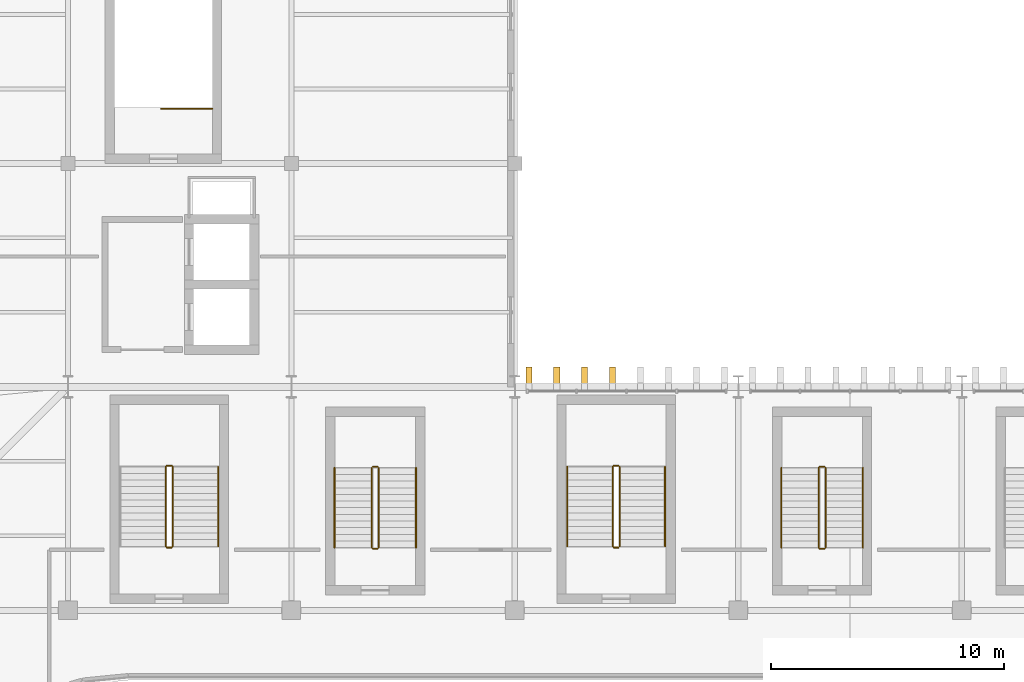
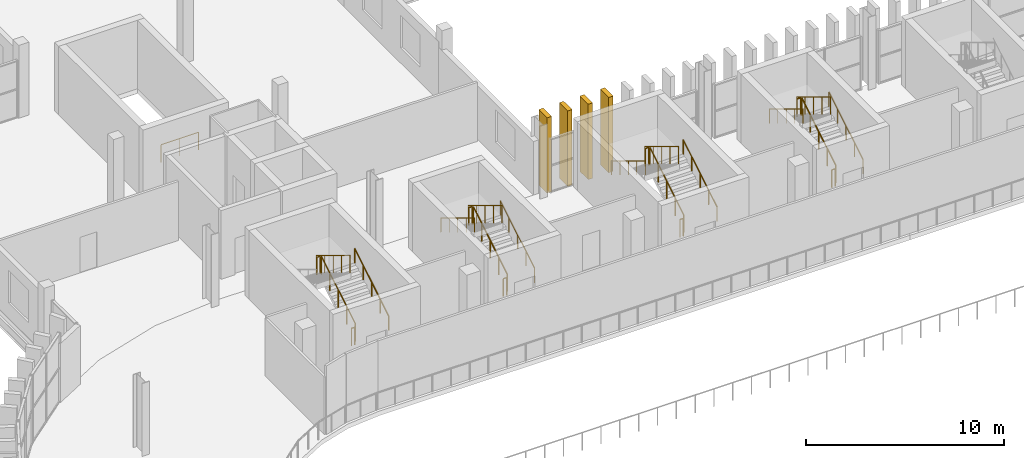
# One storey, part 68 of 75: 24 railings, 4 coverings.
"""IFC4 building model written with IfcOpenShell, lengths in metres."""

from ifc_helpers import new_model, si_unit, direction, frame, origin, origin_2d, place, context, subcontext, project, spatial, rectangle, circle, extrude, material, material_profile, profile_set, type_object, element, save


model = new_model("IFC4")

# Units and contexts
model_context = context("Model", 3, precision=1e-05, world=origin(), true_north=direction((0.0, 1.0)))
body_context = subcontext(model_context, "Body", "Model", "MODEL_VIEW")
ifc_project = project(units=[si_unit("LENGTHUNIT", "METRE"), si_unit("AREAUNIT", "SQUARE_METRE"), si_unit("VOLUMEUNIT", "CUBIC_METRE"), si_unit("PLANEANGLEUNIT", "RADIAN"), si_unit("MASSUNIT", "GRAM", prefix="KILO")], contexts=[model_context])

# Site, building, storey
site_placement = place(None, origin())
site = spatial("IfcSite", under=ifc_project, at=site_placement, CompositionType="ELEMENT")
building_placement = place(site_placement, origin())
building = spatial("IfcBuilding", under=site, at=building_placement, Name="Caelomonte Colonnade Arena", CompositionType="ELEMENT")
storey_placement = place(building_placement, frame((0.0, 0.0, 14.10009765625)))
storey = spatial("IfcBuildingStorey", under=building, at=storey_placement, Name="L03", CompositionType="ELEMENT", Elevation=14.10009765625)

# Coverings
ifc_material_1 = material(Name="Precast travertine cladding", Category="masonry")
ifc_material_profile = material_profile(ifc_material_1, rectangle(XDim=0.260009765625, YDim=0.85009765625, at=origin_2d()), Name="FIN260X850")
ifc_profile_set = profile_set([ifc_material_profile], Name="Precast travertine cladding")
covering_type = type_object("IfcCoveringType", Name="ENV-FN-SHAFT", PredefinedType="CLADDING", material=ifc_profile_set)
for number, where, z_axis, x_axis, name in (
    (1, (100.199951171875, 115.62109375, -0.16015625), (0.0, 0.0, 1.0), (1.0, 0.0, 0.0), "V1 L03 classical travertine vertical fin 128"),
    (2, (99.0, 115.62109375, -0.16015625), (0.0, 0.0, 1.0), (1.0, 0.0, 0.0), "V1 L03 classical travertine vertical fin 129"),
    (3, (97.800048828125, 115.62109375, -0.16015625), (0.0, 0.0, 1.0), (1.0, 0.0, 0.0), "V1 L03 classical travertine vertical fin 130"),
    (4, (96.60009765625, 115.62109375, -0.16015625), (0.0, 0.0, 1.0), (1.0, 0.0, 0.0), "V1 L03 classical travertine vertical fin 131"),
):
    element("IfcCovering", number, at=place(storey_placement, frame(where, z_axis=z_axis, x_axis=x_axis)), inside=storey, type_object=covering_type, Name=name, PredefinedType="CLADDING", context=body_context, shape_type="SweptSolid", body=[
        extrude(rectangle(XDim=0.260009765625, YDim=0.85009765625, at=origin_2d()), origin(), (0.0, 0.0, 1.0), 4.66015625),
    ])

# Railings
ifc_material_2 = material(Name="Painted galvanized steel stair guard", Category="steel")
railing_type_1 = type_object("IfcRailingType", Name="INT-RL-GRD", PredefinedType="GUARDRAIL", material=ifc_material_2)
railing_1_placement = place(storey_placement, frame((83.0, 127.14990234375, 0.0)))
element("IfcRailing", 5, at=railing_1_placement, inside=storey, type_object=railing_type_1, Name="L03 ST-07 top well guard 1", PredefinedType="GUARDRAIL", context=body_context, shape_type="SweptSolid", body=[
    extrude(circle(Radius=0.02392578125, at=origin_2d()), frame((0.0, 0.0, 1.076171875), z_axis=(-1.0, 0.0, 0.0), x_axis=(0.0, -1.0, 0.0)), (0.0, 0.0, 1.0), 2.199951171875),
    extrude(circle(Radius=0.02099609375, at=origin_2d()), origin(), (0.0, 0.0, 1.0), 1.048095703125),
    extrude(circle(Radius=0.02099609375, at=origin_2d()), frame((-1.10009765625, 0.0, 0.0)), (0.0, 0.0, 1.0), 1.048095703125),
    extrude(circle(Radius=0.02099609375, at=origin_2d()), frame((-2.199951171875, 0.0, 0.0)), (0.0, 0.0, 1.0), 1.048095703125),
])
railing_2_placement = place(storey_placement, frame((81.300048828125, 108.35009765625, 0.173095703125)))
element("IfcRailing", 6, at=railing_2_placement, inside=storey, type_object=railing_type_1, Name="L03 ST-14 stair guard 1", PredefinedType="GUARDRAIL", context=body_context, shape_type="SweptSolid", body=[
    extrude(circle(Radius=0.02392578125, at=origin_2d()), frame((0.0, 0.0, 1.076171875), z_axis=(0.0, 0.854729506542, 0.519073665916), x_axis=(-1.0, 0.0, 0.0)), (0.0, 0.0, 1.0), 4.001220703125),
    extrude(circle(Radius=0.02099609375, at=origin_2d()), origin(), (0.0, 0.0, 1.0), 1.048095703125),
    extrude(circle(Radius=0.02099609375, at=origin_2d()), frame((0.0, 0.85498046875, 0.519287109375)), (0.0, 0.0, 1.0), 1.048095703125),
    extrude(circle(Radius=0.02099609375, at=origin_2d()), frame((0.0, 1.7099609375, 1.03857421875)), (0.0, 0.0, 1.0), 1.048095703125),
    extrude(circle(Radius=0.02099609375, at=origin_2d()), frame((0.0, 2.56494140625, 1.5576171875)), (0.0, 0.0, 1.0), 1.048095703125),
    extrude(circle(Radius=0.02099609375, at=origin_2d()), frame((0.0, 3.419921875, 2.076904296875)), (0.0, 0.0, 1.0), 1.048095703125),
])
railing_3_placement = place(storey_placement, frame((81.25, 111.820068359375, 2.25)))
element("IfcRailing", 7, at=railing_3_placement, inside=storey, type_object=railing_type_1, Name="L03 ST-14 stair guard 2", PredefinedType="GUARDRAIL", context=body_context, shape_type="SweptSolid", body=[
    extrude(circle(Radius=0.02392578125, at=origin_2d()), frame((0.0, 0.0, 1.076171875), z_axis=(-1.0, 0.0, 0.0), x_axis=(0.0, -1.0, 0.0)), (0.0, 0.0, 1.0), 0.199951171875),
    extrude(circle(Radius=0.02099609375, at=origin_2d()), origin(), (0.0, 0.0, 1.0), 1.048095703125),
    extrude(circle(Radius=0.02099609375, at=origin_2d()), frame((-0.199951171875, 0.0, 0.0)), (0.0, 0.0, 1.0), 1.048095703125),
])
railing_4_placement = place(storey_placement, frame((81.0, 111.77001953125, 2.423095703125)))
element("IfcRailing", 8, at=railing_4_placement, inside=storey, type_object=railing_type_1, Name="L03 ST-14 stair guard 3", PredefinedType="GUARDRAIL", context=body_context, shape_type="SweptSolid", body=[
    extrude(circle(Radius=0.02392578125, at=origin_2d()), frame((0.0, 0.0, 1.076171875), z_axis=(0.0, -0.854729506542, 0.519073665916), x_axis=(1.0, 0.0, 0.0)), (0.0, 0.0, 1.0), 4.001220703125),
    extrude(circle(Radius=0.02099609375, at=origin_2d()), origin(), (0.0, 0.0, 1.0), 1.048095703125),
    extrude(circle(Radius=0.02099609375, at=origin_2d()), frame((0.0, -0.85498046875, 0.519287109375)), (0.0, 0.0, 1.0), 1.048095703125),
    extrude(circle(Radius=0.02099609375, at=origin_2d()), frame((0.0, -1.7099609375, 1.03857421875)), (0.0, 0.0, 1.0), 1.048095703125),
    extrude(circle(Radius=0.02099609375, at=origin_2d()), frame((0.0, -2.56494140625, 1.5576171875)), (0.0, 0.0, 1.0), 1.048095703125),
    extrude(circle(Radius=0.02099609375, at=origin_2d()), frame((0.0, -3.419921875, 2.076904296875)), (0.0, 0.0, 1.0), 1.048095703125),
])
railing_5_placement = place(storey_placement, frame((81.25, 108.300048828125, 0.0)))
element("IfcRailing", 9, at=railing_5_placement, inside=storey, type_object=railing_type_1, Name="L03 ST-14 stair guard 4", PredefinedType="GUARDRAIL", context=body_context, shape_type="SweptSolid", body=[
    extrude(circle(Radius=0.02392578125, at=origin_2d()), frame((0.0, 0.0, 1.076171875), z_axis=(-1.0, 0.0, 0.0), x_axis=(0.0, -1.0, 0.0)), (0.0, 0.0, 1.0), 0.199951171875),
    extrude(circle(Radius=0.02099609375, at=origin_2d()), origin(), (0.0, 0.0, 1.0), 1.048095703125),
    extrude(circle(Radius=0.02099609375, at=origin_2d()), frame((-0.199951171875, 0.0, 0.0)), (0.0, 0.0, 1.0), 1.048095703125),
])
railing_6_placement = place(storey_placement, frame((100.5, 108.35009765625, 0.173095703125)))
element("IfcRailing", 10, at=railing_6_placement, inside=storey, type_object=railing_type_1, Name="L03 ST-15 stair guard 1", PredefinedType="GUARDRAIL", context=body_context, shape_type="SweptSolid", body=[
    extrude(circle(Radius=0.02392578125, at=origin_2d()), frame((0.0, 0.0, 1.076171875), z_axis=(0.0, 0.854729506542, 0.519073665916), x_axis=(-1.0, 0.0, 0.0)), (0.0, 0.0, 1.0), 4.001220703125),
    extrude(circle(Radius=0.02099609375, at=origin_2d()), origin(), (0.0, 0.0, 1.0), 1.048095703125),
    extrude(circle(Radius=0.02099609375, at=origin_2d()), frame((0.0, 0.85498046875, 0.519287109375)), (0.0, 0.0, 1.0), 1.048095703125),
    extrude(circle(Radius=0.02099609375, at=origin_2d()), frame((0.0, 1.7099609375, 1.03857421875)), (0.0, 0.0, 1.0), 1.048095703125),
    extrude(circle(Radius=0.02099609375, at=origin_2d()), frame((0.0, 2.56494140625, 1.5576171875)), (0.0, 0.0, 1.0), 1.048095703125),
    extrude(circle(Radius=0.02099609375, at=origin_2d()), frame((0.0, 3.419921875, 2.076904296875)), (0.0, 0.0, 1.0), 1.048095703125),
])
railing_7_placement = place(storey_placement, frame((100.449951171875, 111.820068359375, 2.25)))
element("IfcRailing", 11, at=railing_7_placement, inside=storey, type_object=railing_type_1, Name="L03 ST-15 stair guard 2", PredefinedType="GUARDRAIL", context=body_context, shape_type="SweptSolid", body=[
    extrude(circle(Radius=0.02392578125, at=origin_2d()), frame((0.0, 0.0, 1.076171875), z_axis=(-1.0, 0.0, 0.0), x_axis=(0.0, -1.0, 0.0)), (0.0, 0.0, 1.0), 0.199951171875),
    extrude(circle(Radius=0.02099609375, at=origin_2d()), origin(), (0.0, 0.0, 1.0), 1.048095703125),
    extrude(circle(Radius=0.02099609375, at=origin_2d()), frame((-0.199951171875, 0.0, 0.0)), (0.0, 0.0, 1.0), 1.048095703125),
])
railing_8_placement = place(storey_placement, frame((100.199951171875, 111.77001953125, 2.423095703125)))
element("IfcRailing", 12, at=railing_8_placement, inside=storey, type_object=railing_type_1, Name="L03 ST-15 stair guard 3", PredefinedType="GUARDRAIL", context=body_context, shape_type="SweptSolid", body=[
    extrude(circle(Radius=0.02392578125, at=origin_2d()), frame((0.0, 0.0, 1.076171875), z_axis=(0.0, -0.854729506542, 0.519073665916), x_axis=(1.0, 0.0, 0.0)), (0.0, 0.0, 1.0), 4.001220703125),
    extrude(circle(Radius=0.02099609375, at=origin_2d()), origin(), (0.0, 0.0, 1.0), 1.048095703125),
    extrude(circle(Radius=0.02099609375, at=origin_2d()), frame((0.0, -0.85498046875, 0.519287109375)), (0.0, 0.0, 1.0), 1.048095703125),
    extrude(circle(Radius=0.02099609375, at=origin_2d()), frame((0.0, -1.7099609375, 1.03857421875)), (0.0, 0.0, 1.0), 1.048095703125),
    extrude(circle(Radius=0.02099609375, at=origin_2d()), frame((0.0, -2.56494140625, 1.5576171875)), (0.0, 0.0, 1.0), 1.048095703125),
    extrude(circle(Radius=0.02099609375, at=origin_2d()), frame((0.0, -3.419921875, 2.076904296875)), (0.0, 0.0, 1.0), 1.048095703125),
])
railing_9_placement = place(storey_placement, frame((100.449951171875, 108.300048828125, 0.0)))
element("IfcRailing", 13, at=railing_9_placement, inside=storey, type_object=railing_type_1, Name="L03 ST-15 stair guard 4", PredefinedType="GUARDRAIL", context=body_context, shape_type="SweptSolid", body=[
    extrude(circle(Radius=0.02392578125, at=origin_2d()), frame((0.0, 0.0, 1.076171875), z_axis=(-1.0, 0.0, 0.0), x_axis=(0.0, -1.0, 0.0)), (0.0, 0.0, 1.0), 0.199951171875),
    extrude(circle(Radius=0.02099609375, at=origin_2d()), origin(), (0.0, 0.0, 1.0), 1.048095703125),
    extrude(circle(Radius=0.02099609375, at=origin_2d()), frame((-0.199951171875, 0.0, 0.0)), (0.0, 0.0, 1.0), 1.048095703125),
])
railing_10_placement = place(storey_placement, frame((90.14990234375, 108.300048828125, 0.173095703125)))
element("IfcRailing", 14, at=railing_10_placement, inside=storey, type_object=railing_type_1, Name="L03 ST-V13 stair guard 1", PredefinedType="GUARDRAIL", context=body_context, shape_type="SweptSolid", body=[
    extrude(circle(Radius=0.02392578125, at=origin_2d()), frame((0.0, 0.0, 1.076171875), z_axis=(0.0, 0.854729506542, 0.519073665916), x_axis=(-1.0, 0.0, 0.0)), (0.0, 0.0, 1.0), 4.001220703125),
    extrude(circle(Radius=0.02099609375, at=origin_2d()), origin(), (0.0, 0.0, 1.0), 1.048095703125),
    extrude(circle(Radius=0.02099609375, at=origin_2d()), frame((0.0, 0.85498046875, 0.519287109375)), (0.0, 0.0, 1.0), 1.048095703125),
    extrude(circle(Radius=0.02099609375, at=origin_2d()), frame((0.0, 1.7099609375, 1.03857421875)), (0.0, 0.0, 1.0), 1.048095703125),
    extrude(circle(Radius=0.02099609375, at=origin_2d()), frame((0.0, 2.56494140625, 1.5576171875)), (0.0, 0.0, 1.0), 1.048095703125),
    extrude(circle(Radius=0.02099609375, at=origin_2d()), frame((0.0, 3.419921875, 2.076904296875)), (0.0, 0.0, 1.0), 1.048095703125),
])
railing_11_placement = place(storey_placement, frame((90.10009765625, 111.77001953125, 2.25)))
element("IfcRailing", 15, at=railing_11_placement, inside=storey, type_object=railing_type_1, Name="L03 ST-V13 stair guard 2", PredefinedType="GUARDRAIL", context=body_context, shape_type="SweptSolid", body=[
    extrude(circle(Radius=0.02392578125, at=origin_2d()), frame((0.0, 0.0, 1.076171875), z_axis=(-1.0, 0.0, 0.0), x_axis=(0.0, -1.0, 0.0)), (0.0, 0.0, 1.0), 0.2001953125),
    extrude(circle(Radius=0.02099609375, at=origin_2d()), origin(), (0.0, 0.0, 1.0), 1.048095703125),
    extrude(circle(Radius=0.02099609375, at=origin_2d()), frame((-0.2001953125, 0.0, 0.0)), (0.0, 0.0, 1.0), 1.048095703125),
])
railing_12_placement = place(storey_placement, frame((89.85009765625, 111.719970703125, 2.423095703125)))
element("IfcRailing", 16, at=railing_12_placement, inside=storey, type_object=railing_type_1, Name="L03 ST-V13 stair guard 3", PredefinedType="GUARDRAIL", context=body_context, shape_type="SweptSolid", body=[
    extrude(circle(Radius=0.02392578125, at=origin_2d()), frame((0.0, 0.0, 1.076171875), z_axis=(0.0, -0.854729506542, 0.519073665916), x_axis=(1.0, 0.0, 0.0)), (0.0, 0.0, 1.0), 4.001220703125),
    extrude(circle(Radius=0.02099609375, at=origin_2d()), origin(), (0.0, 0.0, 1.0), 1.048095703125),
    extrude(circle(Radius=0.02099609375, at=origin_2d()), frame((0.0, -0.85498046875, 0.519287109375)), (0.0, 0.0, 1.0), 1.048095703125),
    extrude(circle(Radius=0.02099609375, at=origin_2d()), frame((0.0, -1.7099609375, 1.03857421875)), (0.0, 0.0, 1.0), 1.048095703125),
    extrude(circle(Radius=0.02099609375, at=origin_2d()), frame((0.0, -2.56494140625, 1.5576171875)), (0.0, 0.0, 1.0), 1.048095703125),
    extrude(circle(Radius=0.02099609375, at=origin_2d()), frame((0.0, -3.419921875, 2.076904296875)), (0.0, 0.0, 1.0), 1.048095703125),
])
railing_13_placement = place(storey_placement, frame((90.10009765625, 108.25, 0.0)))
element("IfcRailing", 17, at=railing_13_placement, inside=storey, type_object=railing_type_1, Name="L03 ST-V13 stair guard 4", PredefinedType="GUARDRAIL", context=body_context, shape_type="SweptSolid", body=[
    extrude(circle(Radius=0.02392578125, at=origin_2d()), frame((0.0, 0.0, 1.076171875), z_axis=(-1.0, 0.0, 0.0), x_axis=(0.0, -1.0, 0.0)), (0.0, 0.0, 1.0), 0.2001953125),
    extrude(circle(Radius=0.02099609375, at=origin_2d()), origin(), (0.0, 0.0, 1.0), 1.048095703125),
    extrude(circle(Radius=0.02099609375, at=origin_2d()), frame((-0.2001953125, 0.0, 0.0)), (0.0, 0.0, 1.0), 1.048095703125),
])
railing_14_placement = place(storey_placement, frame((109.35009765625, 108.300048828125, 0.173095703125)))
element("IfcRailing", 18, at=railing_14_placement, inside=storey, type_object=railing_type_1, Name="L03 ST-V14 stair guard 1", PredefinedType="GUARDRAIL", context=body_context, shape_type="SweptSolid", body=[
    extrude(circle(Radius=0.02392578125, at=origin_2d()), frame((0.0, 0.0, 1.076171875), z_axis=(0.0, 0.854729506542, 0.519073665916), x_axis=(-1.0, 0.0, 0.0)), (0.0, 0.0, 1.0), 4.001220703125),
    extrude(circle(Radius=0.02099609375, at=origin_2d()), origin(), (0.0, 0.0, 1.0), 1.048095703125),
    extrude(circle(Radius=0.02099609375, at=origin_2d()), frame((0.0, 0.85498046875, 0.519287109375)), (0.0, 0.0, 1.0), 1.048095703125),
    extrude(circle(Radius=0.02099609375, at=origin_2d()), frame((0.0, 1.7099609375, 1.03857421875)), (0.0, 0.0, 1.0), 1.048095703125),
    extrude(circle(Radius=0.02099609375, at=origin_2d()), frame((0.0, 2.56494140625, 1.5576171875)), (0.0, 0.0, 1.0), 1.048095703125),
    extrude(circle(Radius=0.02099609375, at=origin_2d()), frame((0.0, 3.419921875, 2.076904296875)), (0.0, 0.0, 1.0), 1.048095703125),
])
railing_15_placement = place(storey_placement, frame((109.300048828125, 111.77001953125, 2.25)))
element("IfcRailing", 19, at=railing_15_placement, inside=storey, type_object=railing_type_1, Name="L03 ST-V14 stair guard 2", PredefinedType="GUARDRAIL", context=body_context, shape_type="SweptSolid", body=[
    extrude(circle(Radius=0.02392578125, at=origin_2d()), frame((0.0, 0.0, 1.076171875), z_axis=(-1.0, 0.0, 0.0), x_axis=(0.0, -1.0, 0.0)), (0.0, 0.0, 1.0), 0.199951171875),
    extrude(circle(Radius=0.02099609375, at=origin_2d()), origin(), (0.0, 0.0, 1.0), 1.048095703125),
    extrude(circle(Radius=0.02099609375, at=origin_2d()), frame((-0.199951171875, 0.0, 0.0)), (0.0, 0.0, 1.0), 1.048095703125),
])
railing_16_placement = place(storey_placement, frame((109.050048828125, 111.719970703125, 2.423095703125)))
element("IfcRailing", 20, at=railing_16_placement, inside=storey, type_object=railing_type_1, Name="L03 ST-V14 stair guard 3", PredefinedType="GUARDRAIL", context=body_context, shape_type="SweptSolid", body=[
    extrude(circle(Radius=0.02392578125, at=origin_2d()), frame((0.0, 0.0, 1.076171875), z_axis=(0.0, -0.854729506542, 0.519073665916), x_axis=(1.0, 0.0, 0.0)), (0.0, 0.0, 1.0), 4.001220703125),
    extrude(circle(Radius=0.02099609375, at=origin_2d()), origin(), (0.0, 0.0, 1.0), 1.048095703125),
    extrude(circle(Radius=0.02099609375, at=origin_2d()), frame((0.0, -0.85498046875, 0.519287109375)), (0.0, 0.0, 1.0), 1.048095703125),
    extrude(circle(Radius=0.02099609375, at=origin_2d()), frame((0.0, -1.7099609375, 1.03857421875)), (0.0, 0.0, 1.0), 1.048095703125),
    extrude(circle(Radius=0.02099609375, at=origin_2d()), frame((0.0, -2.56494140625, 1.5576171875)), (0.0, 0.0, 1.0), 1.048095703125),
    extrude(circle(Radius=0.02099609375, at=origin_2d()), frame((0.0, -3.419921875, 2.076904296875)), (0.0, 0.0, 1.0), 1.048095703125),
])
railing_17_placement = place(storey_placement, frame((109.300048828125, 108.25, 0.0)))
element("IfcRailing", 21, at=railing_17_placement, inside=storey, type_object=railing_type_1, Name="L03 ST-V14 stair guard 4", PredefinedType="GUARDRAIL", context=body_context, shape_type="SweptSolid", body=[
    extrude(circle(Radius=0.02392578125, at=origin_2d()), frame((0.0, 0.0, 1.076171875), z_axis=(-1.0, 0.0, 0.0), x_axis=(0.0, -1.0, 0.0)), (0.0, 0.0, 1.0), 0.199951171875),
    extrude(circle(Radius=0.02099609375, at=origin_2d()), origin(), (0.0, 0.0, 1.0), 1.048095703125),
    extrude(circle(Radius=0.02099609375, at=origin_2d()), frame((-0.199951171875, 0.0, 0.0)), (0.0, 0.0, 1.0), 1.048095703125),
])
ifc_material_3 = material(Name="Brushed stainless steel stair handrail", Category="steel")
railing_type_2 = type_object("IfcRailingType", Name="INT-RL-HR", PredefinedType="HANDRAIL", material=ifc_material_3)
for number, where, name in (
    (22, (83.25, 108.35009765625, 0.173095703125), "L03 ST-14 stair handrail 1"),
    (23, (102.449951171875, 108.35009765625, 0.173095703125), "L03 ST-15 stair handrail 1"),
):
    element("IfcRailing", number, at=place(storey_placement, frame(where)), inside=storey, type_object=railing_type_2, Name=name, PredefinedType="HANDRAIL", context=body_context, shape_type="SweptSolid", body=[
        extrude(circle(Radius=0.02392578125, at=origin_2d()), frame((0.0, 0.0, 0.8759765625), z_axis=(0.0, 0.854729506542, 0.519073665916), x_axis=(-1.0, 0.0, 0.0)), (0.0, 0.0, 1.0), 4.001220703125),
        extrude(circle(Radius=0.02099609375, at=origin_2d()), origin(), (0.0, 0.0, 1.0), 0.847900390625),
        extrude(circle(Radius=0.02099609375, at=origin_2d()), frame((0.0, 0.85498046875, 0.519287109375)), (0.0, 0.0, 1.0), 0.847900390625),
        extrude(circle(Radius=0.02099609375, at=origin_2d()), frame((0.0, 1.7099609375, 1.03857421875)), (0.0, 0.0, 1.0), 0.847900390625),
        extrude(circle(Radius=0.02099609375, at=origin_2d()), frame((0.0, 2.56494140625, 1.5576171875)), (0.0, 0.0, 1.0), 0.847900390625),
        extrude(circle(Radius=0.02099609375, at=origin_2d()), frame((0.0, 3.419921875, 2.076904296875)), (0.0, 0.0, 1.0), 0.847900390625),
    ])
railing_18_placement = place(storey_placement, frame((98.25, 111.77001953125, 2.423095703125)))
element("IfcRailing", 24, at=railing_18_placement, inside=storey, type_object=railing_type_2, Name="L03 ST-15 stair handrail 2", PredefinedType="HANDRAIL", context=body_context, shape_type="SweptSolid", body=[
    extrude(circle(Radius=0.02392578125, at=origin_2d()), frame((0.0, 0.0, 0.8759765625), z_axis=(0.0, -0.854729506542, 0.519073665916), x_axis=(1.0, 0.0, 0.0)), (0.0, 0.0, 1.0), 4.001220703125),
    extrude(circle(Radius=0.02099609375, at=origin_2d()), origin(), (0.0, 0.0, 1.0), 0.847900390625),
    extrude(circle(Radius=0.02099609375, at=origin_2d()), frame((0.0, -0.85498046875, 0.519287109375)), (0.0, 0.0, 1.0), 0.847900390625),
    extrude(circle(Radius=0.02099609375, at=origin_2d()), frame((0.0, -1.7099609375, 1.03857421875)), (0.0, 0.0, 1.0), 0.847900390625),
    extrude(circle(Radius=0.02099609375, at=origin_2d()), frame((0.0, -2.56494140625, 1.5576171875)), (0.0, 0.0, 1.0), 0.847900390625),
    extrude(circle(Radius=0.02099609375, at=origin_2d()), frame((0.0, -3.419921875, 2.076904296875)), (0.0, 0.0, 1.0), 0.847900390625),
])
railing_19_placement = place(storey_placement, frame((91.75, 108.300048828125, 0.173095703125)))
element("IfcRailing", 25, at=railing_19_placement, inside=storey, type_object=railing_type_2, Name="L03 ST-V13 stair handrail 1", PredefinedType="HANDRAIL", context=body_context, shape_type="SweptSolid", body=[
    extrude(circle(Radius=0.02392578125, at=origin_2d()), frame((0.0, 0.0, 0.8759765625), z_axis=(0.0, 0.854729506542, 0.519073665916), x_axis=(-1.0, 0.0, 0.0)), (0.0, 0.0, 1.0), 4.001220703125),
    extrude(circle(Radius=0.02099609375, at=origin_2d()), origin(), (0.0, 0.0, 1.0), 0.847900390625),
    extrude(circle(Radius=0.02099609375, at=origin_2d()), frame((0.0, 0.85498046875, 0.519287109375)), (0.0, 0.0, 1.0), 0.847900390625),
    extrude(circle(Radius=0.02099609375, at=origin_2d()), frame((0.0, 1.7099609375, 1.03857421875)), (0.0, 0.0, 1.0), 0.847900390625),
    extrude(circle(Radius=0.02099609375, at=origin_2d()), frame((0.0, 2.56494140625, 1.5576171875)), (0.0, 0.0, 1.0), 0.847900390625),
    extrude(circle(Radius=0.02099609375, at=origin_2d()), frame((0.0, 3.419921875, 2.076904296875)), (0.0, 0.0, 1.0), 0.847900390625),
])
railing_20_placement = place(storey_placement, frame((88.25, 111.719970703125, 2.423095703125)))
element("IfcRailing", 26, at=railing_20_placement, inside=storey, type_object=railing_type_2, Name="L03 ST-V13 stair handrail 2", PredefinedType="HANDRAIL", context=body_context, shape_type="SweptSolid", body=[
    extrude(circle(Radius=0.02392578125, at=origin_2d()), frame((0.0, 0.0, 0.8759765625), z_axis=(0.0, -0.854729506542, 0.519073665916), x_axis=(1.0, 0.0, 0.0)), (0.0, 0.0, 1.0), 4.001220703125),
    extrude(circle(Radius=0.02099609375, at=origin_2d()), origin(), (0.0, 0.0, 1.0), 0.847900390625),
    extrude(circle(Radius=0.02099609375, at=origin_2d()), frame((0.0, -0.85498046875, 0.519287109375)), (0.0, 0.0, 1.0), 0.847900390625),
    extrude(circle(Radius=0.02099609375, at=origin_2d()), frame((0.0, -1.7099609375, 1.03857421875)), (0.0, 0.0, 1.0), 0.847900390625),
    extrude(circle(Radius=0.02099609375, at=origin_2d()), frame((0.0, -2.56494140625, 1.5576171875)), (0.0, 0.0, 1.0), 0.847900390625),
    extrude(circle(Radius=0.02099609375, at=origin_2d()), frame((0.0, -3.419921875, 2.076904296875)), (0.0, 0.0, 1.0), 0.847900390625),
])
railing_21_placement = place(storey_placement, frame((110.949951171875, 108.300048828125, 0.173095703125)))
element("IfcRailing", 27, at=railing_21_placement, inside=storey, type_object=railing_type_2, Name="L03 ST-V14 stair handrail 1", PredefinedType="HANDRAIL", context=body_context, shape_type="SweptSolid", body=[
    extrude(circle(Radius=0.02392578125, at=origin_2d()), frame((0.0, 0.0, 0.8759765625), z_axis=(0.0, 0.854729506542, 0.519073665916), x_axis=(-1.0, 0.0, 0.0)), (0.0, 0.0, 1.0), 4.001220703125),
    extrude(circle(Radius=0.02099609375, at=origin_2d()), origin(), (0.0, 0.0, 1.0), 0.847900390625),
    extrude(circle(Radius=0.02099609375, at=origin_2d()), frame((0.0, 0.85498046875, 0.519287109375)), (0.0, 0.0, 1.0), 0.847900390625),
    extrude(circle(Radius=0.02099609375, at=origin_2d()), frame((0.0, 1.7099609375, 1.03857421875)), (0.0, 0.0, 1.0), 0.847900390625),
    extrude(circle(Radius=0.02099609375, at=origin_2d()), frame((0.0, 2.56494140625, 1.5576171875)), (0.0, 0.0, 1.0), 0.847900390625),
    extrude(circle(Radius=0.02099609375, at=origin_2d()), frame((0.0, 3.419921875, 2.076904296875)), (0.0, 0.0, 1.0), 0.847900390625),
])
railing_22_placement = place(storey_placement, frame((107.449951171875, 111.719970703125, 2.423095703125)))
element("IfcRailing", 28, at=railing_22_placement, inside=storey, type_object=railing_type_2, Name="L03 ST-V14 stair handrail 2", PredefinedType="HANDRAIL", context=body_context, shape_type="SweptSolid", body=[
    extrude(circle(Radius=0.02392578125, at=origin_2d()), frame((0.0, 0.0, 0.8759765625), z_axis=(0.0, -0.854729506542, 0.519073665916), x_axis=(1.0, 0.0, 0.0)), (0.0, 0.0, 1.0), 4.001220703125),
    extrude(circle(Radius=0.02099609375, at=origin_2d()), origin(), (0.0, 0.0, 1.0), 0.847900390625),
    extrude(circle(Radius=0.02099609375, at=origin_2d()), frame((0.0, -0.85498046875, 0.519287109375)), (0.0, 0.0, 1.0), 0.847900390625),
    extrude(circle(Radius=0.02099609375, at=origin_2d()), frame((0.0, -1.7099609375, 1.03857421875)), (0.0, 0.0, 1.0), 0.847900390625),
    extrude(circle(Radius=0.02099609375, at=origin_2d()), frame((0.0, -2.56494140625, 1.5576171875)), (0.0, 0.0, 1.0), 0.847900390625),
    extrude(circle(Radius=0.02099609375, at=origin_2d()), frame((0.0, -3.419921875, 2.076904296875)), (0.0, 0.0, 1.0), 0.847900390625),
])

save(model, "model.ifc")
